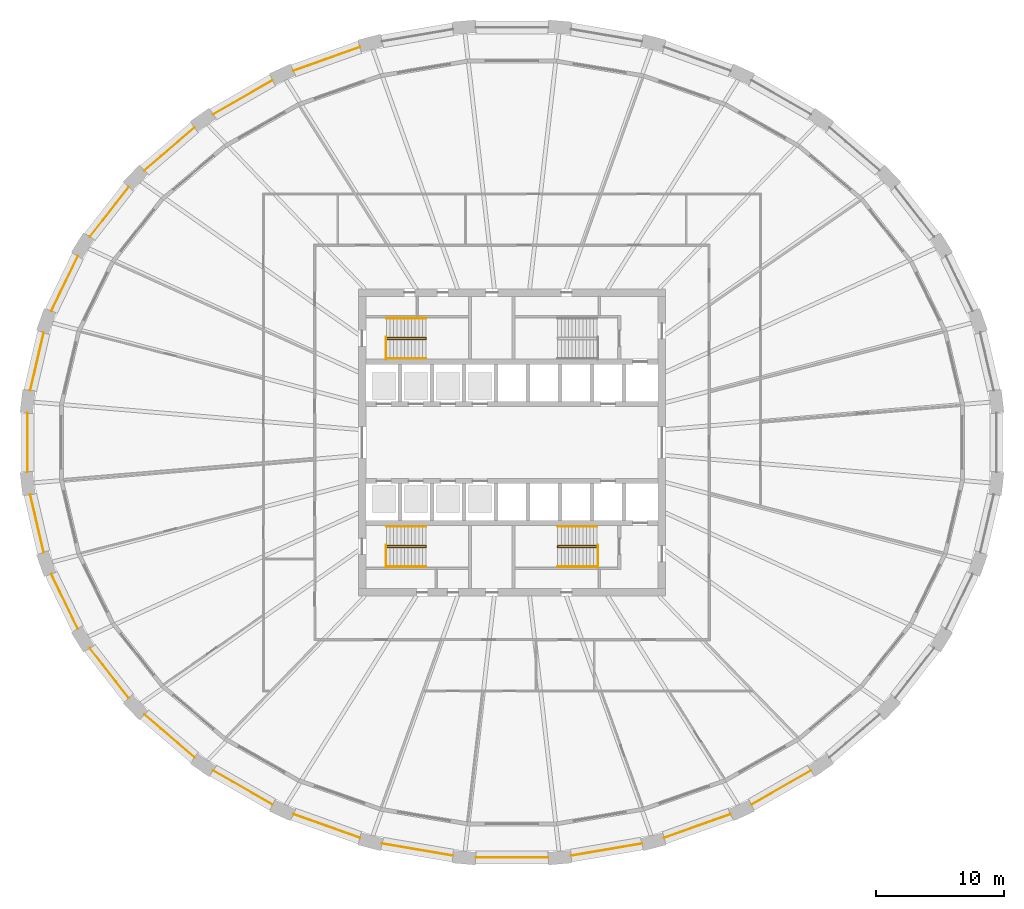
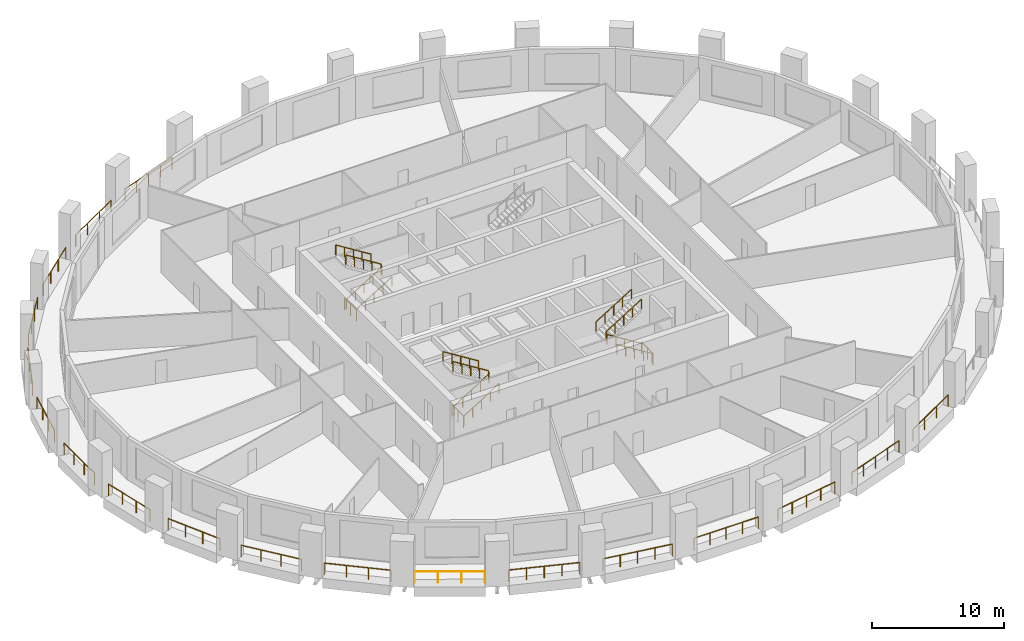
# One storey, part 10 of 12: 30 railings.
"""IFC4 building model written with IfcOpenShell, lengths in metres."""

from ifc_helpers import new_model, si_unit, direction, frame, origin, origin_2d, place, context, subcontext, project, spatial, circle, extrude, material, type_object, element, save


model = new_model("IFC4")

# Units and contexts
model_context = context("Model", 3, precision=1e-05, world=origin(), true_north=direction((0.0, 1.0)))
body_context = subcontext(model_context, "Body", "Model", "MODEL_VIEW")
ifc_project = project(units=[si_unit("LENGTHUNIT", "METRE"), si_unit("AREAUNIT", "SQUARE_METRE"), si_unit("VOLUMEUNIT", "CUBIC_METRE"), si_unit("PLANEANGLEUNIT", "RADIAN"), si_unit("MASSUNIT", "GRAM", prefix="KILO")], contexts=[model_context])

# Site, building, storey
site_placement = place(None, origin())
site = spatial("IfcSite", under=ifc_project, at=site_placement, CompositionType="ELEMENT")
building_placement = place(site_placement, origin())
building = spatial("IfcBuilding", under=site, at=building_placement, Name="Halqa Exchange Tower", CompositionType="ELEMENT")
storey_placement = place(building_placement, frame((0.0, 0.0, 27.699951171875)))
storey = spatial("IfcBuildingStorey", under=building, at=storey_placement, Name="L05", CompositionType="ELEMENT", Elevation=27.699951171875)

# Railings
ifc_material = material(Name="Stainless steel", Category="steel")
railing_type_1 = type_object("IfcRailingType", Name="Guard 1100 stainless steel", PredefinedType="GUARDRAIL", material=ifc_material)
railing_1_placement = place(storey_placement, frame((-11.87890625, 30.867919921875, 0.0)))
element("IfcRailing", 1, at=railing_1_placement, inside=storey, type_object=railing_type_1, Name="Loggia guard 10", PredefinedType="GUARDRAIL", context=body_context, shape_type="SweptSolid", body=[
    extrude(circle(Radius=0.02392578125, at=origin_2d()), frame((0.0, 0.0, 1.076171875), z_axis=(-0.942364586874, -0.334587784305, 0.0), x_axis=(0.334587784305, -0.942364586874, 0.0)), (0.0, 0.0, 1.0), 5.503173828125),
    extrude(circle(Radius=0.02099609375, at=origin_2d()), origin(), (0.0, 0.0, 1.0), 1.052001953125),
    extrude(circle(Radius=0.02099609375, at=origin_2d()), frame((-1.29638671875, -0.46044921875, 0.0)), (0.0, 0.0, 1.0), 1.052001953125),
    extrude(circle(Radius=0.02099609375, at=origin_2d()), frame((-2.593017578125, -0.920654296875, 0.0)), (0.0, 0.0, 1.0), 1.052001953125),
    extrude(circle(Radius=0.02099609375, at=origin_2d()), frame((-3.8896484375, -1.380859375, 0.0)), (0.0, 0.0, 1.0), 1.052001953125),
    extrude(circle(Radius=0.02099609375, at=origin_2d()), frame((-5.18603515625, -1.84130859375, 0.0)), (0.0, 0.0, 1.0), 1.052001953125),
])
railing_2_placement = place(storey_placement, frame((-18.694091796875, 28.278076171875, 0.0)))
element("IfcRailing", 2, at=railing_2_placement, inside=storey, type_object=railing_type_1, Name="Loggia guard 11", PredefinedType="GUARDRAIL", context=body_context, shape_type="SweptSolid", body=[
    extrude(circle(Radius=0.02392578125, at=origin_2d()), frame((0.0, 0.0, 1.076171875), z_axis=(-0.867752964109, -0.496995767869, 0.0), x_axis=(0.496995767869, -0.867752964109, 0.0)), (0.0, 0.0, 1.0), 5.337646484375),
    extrude(circle(Radius=0.02099609375, at=origin_2d()), origin(), (0.0, 0.0, 1.0), 1.052001953125),
    extrude(circle(Radius=0.02099609375, at=origin_2d()), frame((-1.5439453125, -0.88427734375, 0.0)), (0.0, 0.0, 1.0), 1.052001953125),
    extrude(circle(Radius=0.02099609375, at=origin_2d()), frame((-3.087890625, -1.7685546875, 0.0)), (0.0, 0.0, 1.0), 1.052001953125),
    extrude(circle(Radius=0.02099609375, at=origin_2d()), frame((-4.6318359375, -2.65283203125, 0.0)), (0.0, 0.0, 1.0), 1.052001953125),
])
railing_3_placement = place(storey_placement, frame((-24.790283203125, 24.59228515625, 0.0)))
element("IfcRailing", 3, at=railing_3_placement, inside=storey, type_object=railing_type_1, Name="Loggia guard 12", PredefinedType="GUARDRAIL", context=body_context, shape_type="SweptSolid", body=[
    extrude(circle(Radius=0.02392578125, at=origin_2d()), frame((0.0, 0.0, 1.076171875), z_axis=(-0.759266665229, -0.650779633265, 0.0), x_axis=(0.650779633265, -0.759266665229, 0.0)), (0.0, 0.0, 1.0), 5.1376953125),
    extrude(circle(Radius=0.02099609375, at=origin_2d()), origin(), (0.0, 0.0, 1.0), 1.052001953125),
    extrude(circle(Radius=0.02099609375, at=origin_2d()), frame((-1.30029296875, -1.114501953125, 0.0)), (0.0, 0.0, 1.0), 1.052001953125),
    extrude(circle(Radius=0.02099609375, at=origin_2d()), frame((-2.6005859375, -2.22900390625, 0.0)), (0.0, 0.0, 1.0), 1.052001953125),
    extrude(circle(Radius=0.02099609375, at=origin_2d()), frame((-3.90087890625, -3.343505859375, 0.0)), (0.0, 0.0, 1.0), 1.052001953125),
])
railing_4_placement = place(storey_placement, frame((-29.927734375, 19.953369140625, 0.0)))
element("IfcRailing", 4, at=railing_4_placement, inside=storey, type_object=railing_type_1, Name="Loggia guard 13", PredefinedType="GUARDRAIL", context=body_context, shape_type="SweptSolid", body=[
    extrude(circle(Radius=0.02392578125, at=origin_2d()), frame((0.0, 0.0, 1.076171875), z_axis=(-0.614810778124, -0.78867465225, 0.0), x_axis=(0.78867465225, -0.614810778124, 0.0)), (0.0, 0.0, 1.0), 4.931640625),
    extrude(circle(Radius=0.02099609375, at=origin_2d()), origin(), (0.0, 0.0, 1.0), 1.052001953125),
    extrude(circle(Radius=0.02099609375, at=origin_2d()), frame((-1.0107421875, -1.29638671875, 0.0)), (0.0, 0.0, 1.0), 1.052001953125),
    extrude(circle(Radius=0.02099609375, at=origin_2d()), frame((-2.021240234375, -2.593017578125, 0.0)), (0.0, 0.0, 1.0), 1.052001953125),
    extrude(circle(Radius=0.02099609375, at=origin_2d()), frame((-3.031982421875, -3.889404296875, 0.0)), (0.0, 0.0, 1.0), 1.052001953125),
])
railing_5_placement = place(storey_placement, frame((-33.904541015625, 14.543701171875, 0.0)))
element("IfcRailing", 5, at=railing_5_placement, inside=storey, type_object=railing_type_1, Name="Loggia guard 14", PredefinedType="GUARDRAIL", context=body_context, shape_type="SweptSolid", body=[
    extrude(circle(Radius=0.02392578125, at=origin_2d()), frame((0.0, 0.0, 1.076171875), z_axis=(-0.435129787392, -0.900367740495, 0.0), x_axis=(0.900367740495, -0.435129787392, 0.0)), (0.0, 0.0, 1.0), 4.751708984375),
    extrude(circle(Radius=0.02099609375, at=origin_2d()), origin(), (0.0, 0.0, 1.0), 1.052001953125),
    extrude(circle(Radius=0.02099609375, at=origin_2d()), frame((-0.689208984375, -1.426025390625, 0.0)), (0.0, 0.0, 1.0), 1.052001953125),
    extrude(circle(Radius=0.02099609375, at=origin_2d()), frame((-1.37841796875, -2.852294921875, 0.0)), (0.0, 0.0, 1.0), 1.052001953125),
    extrude(circle(Radius=0.02099609375, at=origin_2d()), frame((-2.067626953125, -4.2783203125, 0.0)), (0.0, 0.0, 1.0), 1.052001953125),
])
railing_6_placement = place(storey_placement, frame((-36.567138671875, 8.578369140625, 0.0)))
element("IfcRailing", 6, at=railing_6_placement, inside=storey, type_object=railing_type_1, Name="Loggia guard 15", PredefinedType="GUARDRAIL", context=body_context, shape_type="SweptSolid", body=[
    extrude(circle(Radius=0.02392578125, at=origin_2d()), frame((0.0, 0.0, 1.076171875), z_axis=(-0.22605731834, -0.974114001965, 0.0), x_axis=(0.974114001965, -0.22605731834, 0.0)), (0.0, 0.0, 1.0), 4.62890625),
    extrude(circle(Radius=0.02099609375, at=origin_2d()), origin(), (0.0, 0.0, 1.0), 1.052001953125),
    extrude(circle(Radius=0.02099609375, at=origin_2d()), frame((-0.348876953125, -1.5029296875, 0.0)), (0.0, 0.0, 1.0), 1.052001953125),
    extrude(circle(Radius=0.02099609375, at=origin_2d()), frame((-0.697509765625, -3.006103515625, 0.0)), (0.0, 0.0, 1.0), 1.052001953125),
    extrude(circle(Radius=0.02099609375, at=origin_2d()), frame((-1.04638671875, -4.509033203125, 0.0)), (0.0, 0.0, 1.0), 1.052001953125),
])
railing_7_placement = place(storey_placement, frame((-37.81689453125, 2.29248046875, 0.0)))
element("IfcRailing", 7, at=railing_7_placement, inside=storey, type_object=railing_type_1, Name="Loggia guard 16", PredefinedType="GUARDRAIL", context=body_context, shape_type="SweptSolid", body=[
    extrude(circle(Radius=0.02392578125, at=origin_2d()), frame((0.0, 0.0, 1.076171875), z_axis=(0.0, -1.0, 0.0), x_axis=(1.0, 0.0, 0.0)), (0.0, 0.0, 1.0), 4.5849609375),
    extrude(circle(Radius=0.02099609375, at=origin_2d()), origin(), (0.0, 0.0, 1.0), 1.052001953125),
    extrude(circle(Radius=0.02099609375, at=origin_2d()), frame((0.0, -1.5283203125, 0.0)), (0.0, 0.0, 1.0), 1.052001953125),
    extrude(circle(Radius=0.02099609375, at=origin_2d()), frame((0.0, -3.056640625, 0.0)), (0.0, 0.0, 1.0), 1.052001953125),
    extrude(circle(Radius=0.02099609375, at=origin_2d()), frame((0.0, -4.5849609375, 0.0)), (0.0, 0.0, 1.0), 1.052001953125),
])
railing_8_placement = place(storey_placement, frame((-37.613525390625, -4.0693359375, 0.0)))
element("IfcRailing", 8, at=railing_8_placement, inside=storey, type_object=railing_type_1, Name="Loggia guard 17", PredefinedType="GUARDRAIL", context=body_context, shape_type="SweptSolid", body=[
    extrude(circle(Radius=0.02392578125, at=origin_2d()), frame((0.0, 0.0, 1.076171875), z_axis=(0.22605731834, -0.974114001965, 0.0), x_axis=(0.974114001965, 0.22605731834, 0.0)), (0.0, 0.0, 1.0), 4.62890625),
    extrude(circle(Radius=0.02099609375, at=origin_2d()), origin(), (0.0, 0.0, 1.0), 1.052001953125),
    extrude(circle(Radius=0.02099609375, at=origin_2d()), frame((0.348876953125, -1.5029296875, 0.0)), (0.0, 0.0, 1.0), 1.052001953125),
    extrude(circle(Radius=0.02099609375, at=origin_2d()), frame((0.697509765625, -3.006103515625, 0.0)), (0.0, 0.0, 1.0), 1.052001953125),
    extrude(circle(Radius=0.02099609375, at=origin_2d()), frame((1.04638671875, -4.509033203125, 0.0)), (0.0, 0.0, 1.0), 1.052001953125),
])
railing_9_placement = place(storey_placement, frame((-35.97216796875, -10.265380859375, 0.0)))
element("IfcRailing", 9, at=railing_9_placement, inside=storey, type_object=railing_type_1, Name="Loggia guard 18", PredefinedType="GUARDRAIL", context=body_context, shape_type="SweptSolid", body=[
    extrude(circle(Radius=0.02392578125, at=origin_2d()), frame((0.0, 0.0, 1.076171875), z_axis=(0.435129787392, -0.900367740495, 0.0), x_axis=(0.900367740495, 0.435129787392, 0.0)), (0.0, 0.0, 1.0), 4.751708984375),
    extrude(circle(Radius=0.02099609375, at=origin_2d()), origin(), (0.0, 0.0, 1.0), 1.052001953125),
    extrude(circle(Radius=0.02099609375, at=origin_2d()), frame((0.689208984375, -1.426025390625, 0.0)), (0.0, 0.0, 1.0), 1.052001953125),
    extrude(circle(Radius=0.02099609375, at=origin_2d()), frame((1.37841796875, -2.852294921875, 0.0)), (0.0, 0.0, 1.0), 1.052001953125),
    extrude(circle(Radius=0.02099609375, at=origin_2d()), frame((2.067626953125, -4.2783203125, 0.0)), (0.0, 0.0, 1.0), 1.052001953125),
])
railing_10_placement = place(storey_placement, frame((-32.959716796875, -16.06396484375, 0.0)))
element("IfcRailing", 10, at=railing_10_placement, inside=storey, type_object=railing_type_1, Name="Loggia guard 19", PredefinedType="GUARDRAIL", context=body_context, shape_type="SweptSolid", body=[
    extrude(circle(Radius=0.02392578125, at=origin_2d()), frame((0.0, 0.0, 1.076171875), z_axis=(0.614810778124, -0.78867465225, 0.0), x_axis=(0.78867465225, 0.614810778124, 0.0)), (0.0, 0.0, 1.0), 4.931640625),
    extrude(circle(Radius=0.02099609375, at=origin_2d()), origin(), (0.0, 0.0, 1.0), 1.052001953125),
    extrude(circle(Radius=0.02099609375, at=origin_2d()), frame((1.0107421875, -1.29638671875, 0.0)), (0.0, 0.0, 1.0), 1.052001953125),
    extrude(circle(Radius=0.02099609375, at=origin_2d()), frame((2.021240234375, -2.593017578125, 0.0)), (0.0, 0.0, 1.0), 1.052001953125),
    extrude(circle(Radius=0.02099609375, at=origin_2d()), frame((3.031982421875, -3.889404296875, 0.0)), (0.0, 0.0, 1.0), 1.052001953125),
])
railing_11_placement = place(storey_placement, frame((-28.691162109375, -21.248779296875, 0.0)))
element("IfcRailing", 11, at=railing_11_placement, inside=storey, type_object=railing_type_1, Name="Loggia guard 20", PredefinedType="GUARDRAIL", context=body_context, shape_type="SweptSolid", body=[
    extrude(circle(Radius=0.02392578125, at=origin_2d()), frame((0.0, 0.0, 1.076171875), z_axis=(0.759266665229, -0.650779633265, 0.0), x_axis=(0.650779633265, 0.759266665229, 0.0)), (0.0, 0.0, 1.0), 5.1376953125),
    extrude(circle(Radius=0.02099609375, at=origin_2d()), origin(), (0.0, 0.0, 1.0), 1.052001953125),
    extrude(circle(Radius=0.02099609375, at=origin_2d()), frame((1.30029296875, -1.114501953125, 0.0)), (0.0, 0.0, 1.0), 1.052001953125),
    extrude(circle(Radius=0.02099609375, at=origin_2d()), frame((2.6005859375, -2.22900390625, 0.0)), (0.0, 0.0, 1.0), 1.052001953125),
    extrude(circle(Radius=0.02099609375, at=origin_2d()), frame((3.90087890625, -3.343505859375, 0.0)), (0.0, 0.0, 1.0), 1.052001953125),
])
railing_12_placement = place(storey_placement, frame((-23.325927734375, -25.625244140625, 0.0)))
element("IfcRailing", 12, at=railing_12_placement, inside=storey, type_object=railing_type_1, Name="Loggia guard 21", PredefinedType="GUARDRAIL", context=body_context, shape_type="SweptSolid", body=[
    extrude(circle(Radius=0.02392578125, at=origin_2d()), frame((0.0, 0.0, 1.076171875), z_axis=(0.867752964109, -0.496995767869, 0.0), x_axis=(0.496995767869, 0.867752964109, 0.0)), (0.0, 0.0, 1.0), 5.337646484375),
    extrude(circle(Radius=0.02099609375, at=origin_2d()), origin(), (0.0, 0.0, 1.0), 1.052001953125),
    extrude(circle(Radius=0.02099609375, at=origin_2d()), frame((1.5439453125, -0.88427734375, 0.0)), (0.0, 0.0, 1.0), 1.052001953125),
    extrude(circle(Radius=0.02099609375, at=origin_2d()), frame((3.087890625, -1.7685546875, 0.0)), (0.0, 0.0, 1.0), 1.052001953125),
    extrude(circle(Radius=0.02099609375, at=origin_2d()), frame((4.6318359375, -2.65283203125, 0.0)), (0.0, 0.0, 1.0), 1.052001953125),
])
railing_13_placement = place(storey_placement, frame((-17.06494140625, -29.026611328125, 0.0)))
element("IfcRailing", 13, at=railing_13_placement, inside=storey, type_object=railing_type_1, Name="Loggia guard 22", PredefinedType="GUARDRAIL", context=body_context, shape_type="SweptSolid", body=[
    extrude(circle(Radius=0.02392578125, at=origin_2d()), frame((0.0, 0.0, 1.076171875), z_axis=(0.942364586874, -0.334587784305, 0.0), x_axis=(0.334587784305, 0.942364586874, 0.0)), (0.0, 0.0, 1.0), 5.503173828125),
    extrude(circle(Radius=0.02099609375, at=origin_2d()), origin(), (0.0, 0.0, 1.0), 1.052001953125),
    extrude(circle(Radius=0.02099609375, at=origin_2d()), frame((1.29638671875, -0.46044921875, 0.0)), (0.0, 0.0, 1.0), 1.052001953125),
    extrude(circle(Radius=0.02099609375, at=origin_2d()), frame((2.593017578125, -0.920654296875, 0.0)), (0.0, 0.0, 1.0), 1.052001953125),
    extrude(circle(Radius=0.02099609375, at=origin_2d()), frame((3.8896484375, -1.380859375, 0.0)), (0.0, 0.0, 1.0), 1.052001953125),
    extrude(circle(Radius=0.02099609375, at=origin_2d()), frame((5.18603515625, -1.84130859375, 0.0)), (0.0, 0.0, 1.0), 1.052001953125),
])
railing_14_placement = place(storey_placement, frame((-10.1435546875, -31.3203125, 0.0)))
element("IfcRailing", 14, at=railing_14_placement, inside=storey, type_object=railing_type_1, Name="Loggia guard 23", PredefinedType="GUARDRAIL", context=body_context, shape_type="SweptSolid", body=[
    extrude(circle(Radius=0.02392578125, at=origin_2d()), frame((0.0, 0.0, 1.076171875), z_axis=(0.985782862514, -0.16802424817, 0.0), x_axis=(0.16802424817, 0.985782862514, 0.0)), (0.0, 0.0, 1.0), 5.611572265625),
    extrude(circle(Radius=0.02099609375, at=origin_2d()), origin(), (0.0, 0.0, 1.0), 1.052001953125),
    extrude(circle(Radius=0.02099609375, at=origin_2d()), frame((1.3828125, -0.23583984375, 0.0)), (0.0, 0.0, 1.0), 1.052001953125),
    extrude(circle(Radius=0.02099609375, at=origin_2d()), frame((2.765869140625, -0.471435546875, 0.0)), (0.0, 0.0, 1.0), 1.052001953125),
    extrude(circle(Radius=0.02099609375, at=origin_2d()), frame((4.14892578125, -0.70703125, 0.0)), (0.0, 0.0, 1.0), 1.052001953125),
    extrude(circle(Radius=0.02099609375, at=origin_2d()), frame((5.53173828125, -0.94287109375, 0.0)), (0.0, 0.0, 1.0), 1.052001953125),
])
railing_15_placement = place(storey_placement, frame((-2.82470703125, -32.41455078125, 0.0)))
element("IfcRailing", 15, at=railing_15_placement, inside=storey, type_object=railing_type_1, Name="Loggia guard 24", PredefinedType="GUARDRAIL", context=body_context, shape_type="SweptSolid", body=[
    extrude(circle(Radius=0.02392578125, at=origin_2d()), frame((0.0, 0.0, 1.076171875), z_axis=(1.0, 0.0, 0.0), x_axis=(0.0, 1.0, 0.0)), (0.0, 0.0, 1.0), 5.6494140625),
    extrude(circle(Radius=0.02099609375, at=origin_2d()), origin(), (0.0, 0.0, 1.0), 1.052001953125),
    extrude(circle(Radius=0.02099609375, at=origin_2d()), frame((1.412353515625, 0.0, 0.0)), (0.0, 0.0, 1.0), 1.052001953125),
    extrude(circle(Radius=0.02099609375, at=origin_2d()), frame((2.82470703125, 0.0, 0.0)), (0.0, 0.0, 1.0), 1.052001953125),
    extrude(circle(Radius=0.02099609375, at=origin_2d()), frame((4.237060546875, 0.0, 0.0)), (0.0, 0.0, 1.0), 1.052001953125),
    extrude(circle(Radius=0.02099609375, at=origin_2d()), frame((5.6494140625, 0.0, 0.0)), (0.0, 0.0, 1.0), 1.052001953125),
])
railing_16_placement = place(storey_placement, frame((4.61181640625, -32.26318359375, 0.0)))
element("IfcRailing", 16, at=railing_16_placement, inside=storey, type_object=railing_type_1, Name="Loggia guard 25", PredefinedType="GUARDRAIL", context=body_context, shape_type="SweptSolid", body=[
    extrude(circle(Radius=0.02392578125, at=origin_2d()), frame((0.0, 0.0, 1.076171875), z_axis=(0.985782862514, 0.16802424817, 0.0), x_axis=(-0.16802424817, 0.985782862514, 0.0)), (0.0, 0.0, 1.0), 5.611572265625),
    extrude(circle(Radius=0.02099609375, at=origin_2d()), origin(), (0.0, 0.0, 1.0), 1.052001953125),
    extrude(circle(Radius=0.02099609375, at=origin_2d()), frame((1.3828125, 0.23583984375, 0.0)), (0.0, 0.0, 1.0), 1.052001953125),
    extrude(circle(Radius=0.02099609375, at=origin_2d()), frame((2.765869140625, 0.471435546875, 0.0)), (0.0, 0.0, 1.0), 1.052001953125),
    extrude(circle(Radius=0.02099609375, at=origin_2d()), frame((4.14892578125, 0.70703125, 0.0)), (0.0, 0.0, 1.0), 1.052001953125),
    extrude(circle(Radius=0.02099609375, at=origin_2d()), frame((5.53173828125, 0.94287109375, 0.0)), (0.0, 0.0, 1.0), 1.052001953125),
])
railing_17_placement = place(storey_placement, frame((11.87890625, -30.867919921875, 0.0)))
element("IfcRailing", 17, at=railing_17_placement, inside=storey, type_object=railing_type_1, Name="Loggia guard 26", PredefinedType="GUARDRAIL", context=body_context, shape_type="SweptSolid", body=[
    extrude(circle(Radius=0.02392578125, at=origin_2d()), frame((0.0, 0.0, 1.076171875), z_axis=(0.942364586874, 0.334587784305, 0.0), x_axis=(-0.334587784305, 0.942364586874, 0.0)), (0.0, 0.0, 1.0), 5.503173828125),
    extrude(circle(Radius=0.02099609375, at=origin_2d()), origin(), (0.0, 0.0, 1.0), 1.052001953125),
    extrude(circle(Radius=0.02099609375, at=origin_2d()), frame((1.29638671875, 0.46044921875, 0.0)), (0.0, 0.0, 1.0), 1.052001953125),
    extrude(circle(Radius=0.02099609375, at=origin_2d()), frame((2.593017578125, 0.920654296875, 0.0)), (0.0, 0.0, 1.0), 1.052001953125),
    extrude(circle(Radius=0.02099609375, at=origin_2d()), frame((3.8896484375, 1.380859375, 0.0)), (0.0, 0.0, 1.0), 1.052001953125),
    extrude(circle(Radius=0.02099609375, at=origin_2d()), frame((5.18603515625, 1.84130859375, 0.0)), (0.0, 0.0, 1.0), 1.052001953125),
])
railing_18_placement = place(storey_placement, frame((18.694091796875, -28.278076171875, 0.0)))
element("IfcRailing", 18, at=railing_18_placement, inside=storey, type_object=railing_type_1, Name="Loggia guard 27", PredefinedType="GUARDRAIL", context=body_context, shape_type="SweptSolid", body=[
    extrude(circle(Radius=0.02392578125, at=origin_2d()), frame((0.0, 0.0, 1.076171875), z_axis=(0.867752964109, 0.496995767869, 0.0), x_axis=(-0.496995767869, 0.867752964109, 0.0)), (0.0, 0.0, 1.0), 5.337646484375),
    extrude(circle(Radius=0.02099609375, at=origin_2d()), origin(), (0.0, 0.0, 1.0), 1.052001953125),
    extrude(circle(Radius=0.02099609375, at=origin_2d()), frame((1.5439453125, 0.88427734375, 0.0)), (0.0, 0.0, 1.0), 1.052001953125),
    extrude(circle(Radius=0.02099609375, at=origin_2d()), frame((3.087890625, 1.7685546875, 0.0)), (0.0, 0.0, 1.0), 1.052001953125),
    extrude(circle(Radius=0.02099609375, at=origin_2d()), frame((4.6318359375, 2.65283203125, 0.0)), (0.0, 0.0, 1.0), 1.052001953125),
])
railing_type_2 = type_object("IfcRailingType", Name="Stair handrail 900", PredefinedType="HANDRAIL", material=ifc_material)
railing_19_placement = place(storey_placement, frame((-9.800048828125, 8.06005859375, 0.175048828125)))
element("IfcRailing", 19, at=railing_19_placement, inside=storey, type_object=railing_type_2, Name="Handrail ST1.1", PredefinedType="HANDRAIL", context=body_context, shape_type="SweptSolid", body=[
    extrude(circle(Radius=0.02392578125, at=origin_2d()), frame((0.0, 0.0, 0.8759765625), z_axis=(0.847998304005, 0.0, 0.529998940003), x_axis=(0.0, 1.0, 0.0)), (0.0, 0.0, 1.0), 3.632080078125),
    extrude(circle(Radius=0.02392578125, at=origin_2d()), frame((3.080078125, 0.0, 2.80078125), z_axis=(0.0, 0.595870227118, 0.803080738428), x_axis=(-1.0, 0.0, 0.0)), (0.0, 0.0, 1.0), 0.218017578125),
    extrude(circle(Radius=0.02392578125, at=origin_2d()), frame((3.080078125, 0.1298828125, 2.97607421875), z_axis=(-0.848028513186, 0.0, 0.529950602248), x_axis=(0.0, -1.0, 0.0)), (0.0, 0.0, 1.0), 3.632080078125),
    extrude(circle(Radius=0.02099609375, at=origin_2d()), origin(), (0.0, 0.0, 1.0), 0.851806640625),
    extrude(circle(Radius=0.02099609375, at=origin_2d()), frame((0.77001953125, 0.0, 0.481201171875)), (0.0, 0.0, 1.0), 0.851806640625),
    extrude(circle(Radius=0.02099609375, at=origin_2d()), frame((1.5400390625, 0.0, 0.96240234375)), (0.0, 0.0, 1.0), 0.851806640625),
    extrude(circle(Radius=0.02099609375, at=origin_2d()), frame((2.31005859375, 0.0, 1.44384765625)), (0.0, 0.0, 1.0), 0.851806640625),
    extrude(circle(Radius=0.02099609375, at=origin_2d()), frame((3.080078125, 0.0, 1.925048828125)), (0.0, 0.0, 1.0), 0.851806640625),
    extrude(circle(Radius=0.02099609375, at=origin_2d()), frame((3.080078125, 0.1298828125, 2.10009765625)), (0.0, 0.0, 1.0), 0.851806640625),
    extrude(circle(Radius=0.02099609375, at=origin_2d()), frame((2.31005859375, 0.1298828125, 2.581298828125)), (0.0, 0.0, 1.0), 0.851806640625),
    extrude(circle(Radius=0.02099609375, at=origin_2d()), frame((1.5400390625, 0.1298828125, 3.0625)), (0.0, 0.0, 1.0), 0.851806640625),
    extrude(circle(Radius=0.02099609375, at=origin_2d()), frame((0.77001953125, 0.1298828125, 3.543701171875)), (0.0, 0.0, 1.0), 0.851806640625),
    extrude(circle(Radius=0.02099609375, at=origin_2d()), frame((0.0, 0.1298828125, 4.02490234375)), (0.0, 0.0, 1.0), 0.851806640625),
])
railing_20_placement = place(storey_placement, frame((-9.800048828125, 6.550048828125, 0.175048828125)))
element("IfcRailing", 20, at=railing_20_placement, inside=storey, type_object=railing_type_2, Name="Handrail ST1.2", PredefinedType="HANDRAIL", context=body_context, shape_type="SweptSolid", body=[
    extrude(circle(Radius=0.02392578125, at=origin_2d()), frame((0.0, 0.0, 0.8759765625), z_axis=(0.847998304005, 0.0, 0.529998940003), x_axis=(0.0, 1.0, 0.0)), (0.0, 0.0, 1.0), 3.632080078125),
    extrude(circle(Radius=0.02099609375, at=origin_2d()), origin(), (0.0, 0.0, 1.0), 0.851806640625),
    extrude(circle(Radius=0.02099609375, at=origin_2d()), frame((0.77001953125, 0.0, 0.481201171875)), (0.0, 0.0, 1.0), 0.851806640625),
    extrude(circle(Radius=0.02099609375, at=origin_2d()), frame((1.5400390625, 0.0, 0.96240234375)), (0.0, 0.0, 1.0), 0.851806640625),
    extrude(circle(Radius=0.02099609375, at=origin_2d()), frame((2.31005859375, 0.0, 1.44384765625)), (0.0, 0.0, 1.0), 0.851806640625),
    extrude(circle(Radius=0.02099609375, at=origin_2d()), frame((3.080078125, 0.0, 1.925048828125)), (0.0, 0.0, 1.0), 0.851806640625),
])
railing_21_placement = place(storey_placement, frame((-6.719970703125, 9.699951171875, 2.275146484375)))
element("IfcRailing", 21, at=railing_21_placement, inside=storey, type_object=railing_type_2, Name="Handrail ST1.3", PredefinedType="HANDRAIL", context=body_context, shape_type="SweptSolid", body=[
    extrude(circle(Radius=0.02392578125, at=origin_2d()), frame((0.0, 0.0, 0.8759765625), z_axis=(-0.848028513186, 0.0, 0.529950602248), x_axis=(0.0, -1.0, 0.0)), (0.0, 0.0, 1.0), 3.632080078125),
    extrude(circle(Radius=0.02099609375, at=origin_2d()), origin(), (0.0, 0.0, 1.0), 0.851806640625),
    extrude(circle(Radius=0.02099609375, at=origin_2d()), frame((-0.77001953125, 0.0, 0.481201171875)), (0.0, 0.0, 1.0), 0.851806640625),
    extrude(circle(Radius=0.02099609375, at=origin_2d()), frame((-1.5400390625, 0.0, 0.96240234375)), (0.0, 0.0, 1.0), 0.851806640625),
    extrude(circle(Radius=0.02099609375, at=origin_2d()), frame((-2.31005859375, 0.0, 1.443603515625)), (0.0, 0.0, 1.0), 0.851806640625),
    extrude(circle(Radius=0.02099609375, at=origin_2d()), frame((-3.080078125, 0.0, 1.9248046875)), (0.0, 0.0, 1.0), 0.851806640625),
])
railing_22_placement = place(storey_placement, frame((-9.800048828125, -8.18994140625, 0.175048828125)))
element("IfcRailing", 22, at=railing_22_placement, inside=storey, type_object=railing_type_2, Name="Handrail ST3.1", PredefinedType="HANDRAIL", context=body_context, shape_type="SweptSolid", body=[
    extrude(circle(Radius=0.02392578125, at=origin_2d()), frame((0.0, 0.0, 0.8759765625), z_axis=(0.847998304005, 0.0, 0.529998940003), x_axis=(0.0, 1.0, 0.0)), (0.0, 0.0, 1.0), 3.632080078125),
    extrude(circle(Radius=0.02392578125, at=origin_2d()), frame((3.080078125, 0.0, 2.80078125), z_axis=(0.0, 0.595870227118, 0.803080738428), x_axis=(-1.0, 0.0, 0.0)), (0.0, 0.0, 1.0), 0.218017578125),
    extrude(circle(Radius=0.02392578125, at=origin_2d()), frame((3.080078125, 0.1298828125, 2.97607421875), z_axis=(-0.848028513186, 0.0, 0.529950602248), x_axis=(0.0, -1.0, 0.0)), (0.0, 0.0, 1.0), 3.632080078125),
    extrude(circle(Radius=0.02099609375, at=origin_2d()), origin(), (0.0, 0.0, 1.0), 0.851806640625),
    extrude(circle(Radius=0.02099609375, at=origin_2d()), frame((0.77001953125, 0.0, 0.481201171875)), (0.0, 0.0, 1.0), 0.851806640625),
    extrude(circle(Radius=0.02099609375, at=origin_2d()), frame((1.5400390625, 0.0, 0.96240234375)), (0.0, 0.0, 1.0), 0.851806640625),
    extrude(circle(Radius=0.02099609375, at=origin_2d()), frame((2.31005859375, 0.0, 1.44384765625)), (0.0, 0.0, 1.0), 0.851806640625),
    extrude(circle(Radius=0.02099609375, at=origin_2d()), frame((3.080078125, 0.0, 1.925048828125)), (0.0, 0.0, 1.0), 0.851806640625),
    extrude(circle(Radius=0.02099609375, at=origin_2d()), frame((3.080078125, 0.1298828125, 2.10009765625)), (0.0, 0.0, 1.0), 0.851806640625),
    extrude(circle(Radius=0.02099609375, at=origin_2d()), frame((2.31005859375, 0.1298828125, 2.581298828125)), (0.0, 0.0, 1.0), 0.851806640625),
    extrude(circle(Radius=0.02099609375, at=origin_2d()), frame((1.5400390625, 0.1298828125, 3.0625)), (0.0, 0.0, 1.0), 0.851806640625),
    extrude(circle(Radius=0.02099609375, at=origin_2d()), frame((0.77001953125, 0.1298828125, 3.543701171875)), (0.0, 0.0, 1.0), 0.851806640625),
    extrude(circle(Radius=0.02099609375, at=origin_2d()), frame((0.0, 0.1298828125, 4.02490234375)), (0.0, 0.0, 1.0), 0.851806640625),
])
railing_23_placement = place(storey_placement, frame((-9.800048828125, -9.699951171875, 0.175048828125)))
element("IfcRailing", 23, at=railing_23_placement, inside=storey, type_object=railing_type_2, Name="Handrail ST3.2", PredefinedType="HANDRAIL", context=body_context, shape_type="SweptSolid", body=[
    extrude(circle(Radius=0.02392578125, at=origin_2d()), frame((0.0, 0.0, 0.8759765625), z_axis=(0.847998304005, 0.0, 0.529998940003), x_axis=(0.0, 1.0, 0.0)), (0.0, 0.0, 1.0), 3.632080078125),
    extrude(circle(Radius=0.02099609375, at=origin_2d()), origin(), (0.0, 0.0, 1.0), 0.851806640625),
    extrude(circle(Radius=0.02099609375, at=origin_2d()), frame((0.77001953125, 0.0, 0.481201171875)), (0.0, 0.0, 1.0), 0.851806640625),
    extrude(circle(Radius=0.02099609375, at=origin_2d()), frame((1.5400390625, 0.0, 0.96240234375)), (0.0, 0.0, 1.0), 0.851806640625),
    extrude(circle(Radius=0.02099609375, at=origin_2d()), frame((2.31005859375, 0.0, 1.44384765625)), (0.0, 0.0, 1.0), 0.851806640625),
    extrude(circle(Radius=0.02099609375, at=origin_2d()), frame((3.080078125, 0.0, 1.925048828125)), (0.0, 0.0, 1.0), 0.851806640625),
])
railing_24_placement = place(storey_placement, frame((-6.719970703125, -6.550048828125, 2.275146484375)))
element("IfcRailing", 24, at=railing_24_placement, inside=storey, type_object=railing_type_2, Name="Handrail ST3.3", PredefinedType="HANDRAIL", context=body_context, shape_type="SweptSolid", body=[
    extrude(circle(Radius=0.02392578125, at=origin_2d()), frame((0.0, 0.0, 0.8759765625), z_axis=(-0.848028513186, 0.0, 0.529950602248), x_axis=(0.0, -1.0, 0.0)), (0.0, 0.0, 1.0), 3.632080078125),
    extrude(circle(Radius=0.02099609375, at=origin_2d()), origin(), (0.0, 0.0, 1.0), 0.851806640625),
    extrude(circle(Radius=0.02099609375, at=origin_2d()), frame((-0.77001953125, 0.0, 0.481201171875)), (0.0, 0.0, 1.0), 0.851806640625),
    extrude(circle(Radius=0.02099609375, at=origin_2d()), frame((-1.5400390625, 0.0, 0.96240234375)), (0.0, 0.0, 1.0), 0.851806640625),
    extrude(circle(Radius=0.02099609375, at=origin_2d()), frame((-2.31005859375, 0.0, 1.443603515625)), (0.0, 0.0, 1.0), 0.851806640625),
    extrude(circle(Radius=0.02099609375, at=origin_2d()), frame((-3.080078125, 0.0, 1.9248046875)), (0.0, 0.0, 1.0), 0.851806640625),
])
railing_25_placement = place(storey_placement, frame((6.64990234375, -8.18994140625, 0.175048828125)))
element("IfcRailing", 25, at=railing_25_placement, inside=storey, type_object=railing_type_2, Name="Handrail ST4.1", PredefinedType="HANDRAIL", context=body_context, shape_type="SweptSolid", body=[
    extrude(circle(Radius=0.02392578125, at=origin_2d()), frame((0.0, 0.0, 0.8759765625), z_axis=(-0.847979421464, 0.0, 0.530029150871), x_axis=(0.0, -1.0, 0.0)), (0.0, 0.0, 1.0), 3.632080078125),
    extrude(circle(Radius=0.02392578125, at=origin_2d()), frame((-3.079833984375, 0.0, 2.80078125), z_axis=(0.0, 0.595870227118, 0.803080738428), x_axis=(-1.0, 0.0, 0.0)), (0.0, 0.0, 1.0), 0.218017578125),
    extrude(circle(Radius=0.02392578125, at=origin_2d()), frame((-3.079833984375, 0.1298828125, 2.97607421875), z_axis=(0.848009633417, 0.0, 0.529980812513), x_axis=(0.0, 1.0, 0.0)), (0.0, 0.0, 1.0), 3.6318359375),
    extrude(circle(Radius=0.02099609375, at=origin_2d()), origin(), (0.0, 0.0, 1.0), 0.851806640625),
    extrude(circle(Radius=0.02099609375, at=origin_2d()), frame((-0.77001953125, 0.0, 0.481201171875)), (0.0, 0.0, 1.0), 0.851806640625),
    extrude(circle(Radius=0.02099609375, at=origin_2d()), frame((-1.5400390625, 0.0, 0.96240234375)), (0.0, 0.0, 1.0), 0.851806640625),
    extrude(circle(Radius=0.02099609375, at=origin_2d()), frame((-2.309814453125, 0.0, 1.44384765625)), (0.0, 0.0, 1.0), 0.851806640625),
    extrude(circle(Radius=0.02099609375, at=origin_2d()), frame((-3.079833984375, 0.0, 1.925048828125)), (0.0, 0.0, 1.0), 0.851806640625),
    extrude(circle(Radius=0.02099609375, at=origin_2d()), frame((-3.079833984375, 0.1298828125, 2.10009765625)), (0.0, 0.0, 1.0), 0.851806640625),
    extrude(circle(Radius=0.02099609375, at=origin_2d()), frame((-2.309814453125, 0.1298828125, 2.581298828125)), (0.0, 0.0, 1.0), 0.851806640625),
    extrude(circle(Radius=0.02099609375, at=origin_2d()), frame((-1.5400390625, 0.1298828125, 3.0625)), (0.0, 0.0, 1.0), 0.851806640625),
    extrude(circle(Radius=0.02099609375, at=origin_2d()), frame((-0.77001953125, 0.1298828125, 3.543701171875)), (0.0, 0.0, 1.0), 0.851806640625),
    extrude(circle(Radius=0.02099609375, at=origin_2d()), frame((0.0, 0.1298828125, 4.02490234375)), (0.0, 0.0, 1.0), 0.851806640625),
])
railing_26_placement = place(storey_placement, frame((6.64990234375, -9.699951171875, 0.175048828125)))
element("IfcRailing", 26, at=railing_26_placement, inside=storey, type_object=railing_type_2, Name="Handrail ST4.2", PredefinedType="HANDRAIL", context=body_context, shape_type="SweptSolid", body=[
    extrude(circle(Radius=0.02392578125, at=origin_2d()), frame((0.0, 0.0, 0.8759765625), z_axis=(-0.847979421464, 0.0, 0.530029150871), x_axis=(0.0, -1.0, 0.0)), (0.0, 0.0, 1.0), 3.632080078125),
    extrude(circle(Radius=0.02099609375, at=origin_2d()), origin(), (0.0, 0.0, 1.0), 0.851806640625),
    extrude(circle(Radius=0.02099609375, at=origin_2d()), frame((-0.77001953125, 0.0, 0.481201171875)), (0.0, 0.0, 1.0), 0.851806640625),
    extrude(circle(Radius=0.02099609375, at=origin_2d()), frame((-1.5400390625, 0.0, 0.96240234375)), (0.0, 0.0, 1.0), 0.851806640625),
    extrude(circle(Radius=0.02099609375, at=origin_2d()), frame((-2.309814453125, 0.0, 1.44384765625)), (0.0, 0.0, 1.0), 0.851806640625),
    extrude(circle(Radius=0.02099609375, at=origin_2d()), frame((-3.079833984375, 0.0, 1.925048828125)), (0.0, 0.0, 1.0), 0.851806640625),
])
railing_27_placement = place(storey_placement, frame((3.570068359375, -6.550048828125, 2.275146484375)))
element("IfcRailing", 27, at=railing_27_placement, inside=storey, type_object=railing_type_2, Name="Handrail ST4.3", PredefinedType="HANDRAIL", context=body_context, shape_type="SweptSolid", body=[
    extrude(circle(Radius=0.02392578125, at=origin_2d()), frame((0.0, 0.0, 0.8759765625), z_axis=(0.848009633417, 0.0, 0.529980812513), x_axis=(0.0, 1.0, 0.0)), (0.0, 0.0, 1.0), 3.6318359375),
    extrude(circle(Radius=0.02099609375, at=origin_2d()), origin(), (0.0, 0.0, 1.0), 0.851806640625),
    extrude(circle(Radius=0.02099609375, at=origin_2d()), frame((0.77001953125, 0.0, 0.481201171875)), (0.0, 0.0, 1.0), 0.851806640625),
    extrude(circle(Radius=0.02099609375, at=origin_2d()), frame((1.5400390625, 0.0, 0.96240234375)), (0.0, 0.0, 1.0), 0.851806640625),
    extrude(circle(Radius=0.02099609375, at=origin_2d()), frame((2.309814453125, 0.0, 1.443603515625)), (0.0, 0.0, 1.0), 0.851806640625),
    extrude(circle(Radius=0.02099609375, at=origin_2d()), frame((3.079833984375, 0.0, 1.9248046875)), (0.0, 0.0, 1.0), 0.851806640625),
])
railing_type_3 = type_object("IfcRailingType", Name="Stair well guard 1100", PredefinedType="GUARDRAIL", material=ifc_material)
for number, where, name in (
    (28, (-9.85009765625, 6.5, 0.0), "Guard ST1 well"),
    (29, (-9.85009765625, -9.75, 0.0), "Guard ST3 well"),
    (30, (6.699951171875, -9.75, 0.0), "Guard ST4 well"),
):
    element("IfcRailing", number, at=place(storey_placement, frame(where)), inside=storey, type_object=railing_type_3, Name=name, PredefinedType="GUARDRAIL", context=body_context, shape_type="SweptSolid", body=[
        extrude(circle(Radius=0.02392578125, at=origin_2d()), frame((0.0, 0.0, 1.076171875), z_axis=(0.0, 1.0, 0.0), x_axis=(-1.0, 0.0, 0.0)), (0.0, 0.0, 1.0), 1.75),
        extrude(circle(Radius=0.02099609375, at=origin_2d()), origin(), (0.0, 0.0, 1.0), 1.052001953125),
        extrude(circle(Radius=0.02099609375, at=origin_2d()), frame((0.0, 0.875, 0.0)), (0.0, 0.0, 1.0), 1.052001953125),
        extrude(circle(Radius=0.02099609375, at=origin_2d()), frame((0.0, 1.75, 0.0)), (0.0, 0.0, 1.0), 1.052001953125),
    ])

save(model, "model.ifc")
